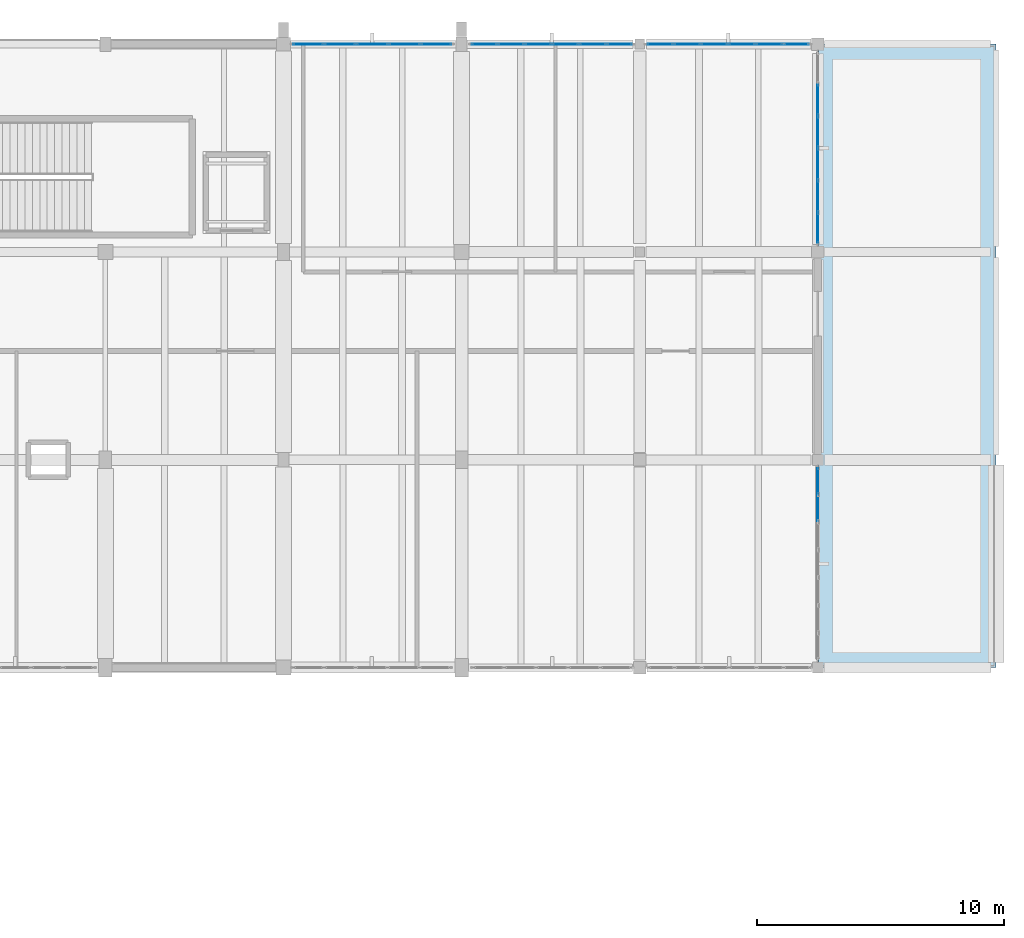
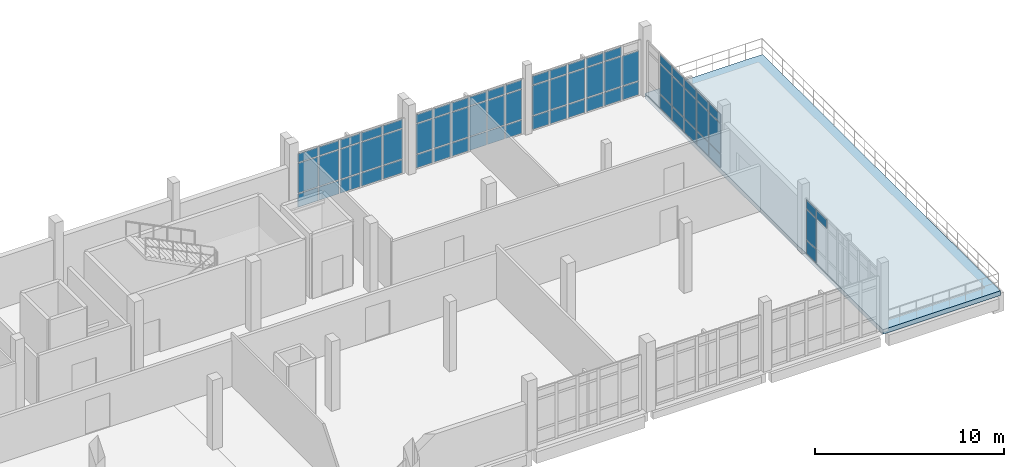
# One storey, part 30 of 41: 69 plates, 1 slab, 5 elements without a shape of their own.
"""IFC4 building model written with IfcOpenShell, lengths in metres."""

from ifc_helpers import new_model, si_unit, direction, frame, origin, origin_2d, place, context, subcontext, project, spatial, polyline, rectangle, outline, extrude, material, layer, layer_set, type_object, element, aggregate, save


model = new_model("IFC4")

# Units and contexts
model_context = context("Model", 3, precision=1e-05, world=origin(), true_north=direction((0.0, 1.0)))
body_context = subcontext(model_context, "Body", "Model", "MODEL_VIEW")
ifc_project = project(units=[si_unit("LENGTHUNIT", "METRE"), si_unit("AREAUNIT", "SQUARE_METRE"), si_unit("VOLUMEUNIT", "CUBIC_METRE"), si_unit("PLANEANGLEUNIT", "RADIAN"), si_unit("MASSUNIT", "GRAM", prefix="KILO")], contexts=[model_context])

# Site, building, storey
site_placement = place(None, origin())
site = spatial("IfcSite", under=ifc_project, at=site_placement, CompositionType="ELEMENT")
building_placement = place(site_placement, origin())
building = spatial("IfcBuilding", under=site, at=building_placement, Name="Kalluvel Institute of Natural Sciences", CompositionType="ELEMENT")
storey_placement = place(building_placement, frame((0.0, 0.0, 32.39990234375)))
storey = spatial("IfcBuildingStorey", under=building, at=storey_placement, Name="L07", CompositionType="ELEMENT", Elevation=32.39990234375)

# Curtain wall, plates
ifc_material_1 = material(Name="Aluminium AW-6063 T6", Category="aluminium")
curtain_wall_type = type_object("IfcCurtainWallType", Name="CW-WET-45", PredefinedType="USERDEFINED", material=ifc_material_1)
curtain_wall_1_placement = place(storey_placement, origin())
curtain_wall_1 = element("IfcCurtainWall", 1, at=curtain_wall_1_placement, inside=storey, type_object=curtain_wall_type, Name="L07 Gothic lancet curtain wall CWA-L07-X791-Y1280", ObjectType="UNITISED LANCET FACADE", PredefinedType="USERDEFINED")
ifc_material_2 = material(Name="Solar-Control Low-E Laminated Glass", Category="glass")
ifc_layer_1 = layer(ifc_material_2, 0.031982421875)
ifc_layer_set_1 = layer_set([ifc_layer_1], Name="Solar-Control Low-E Laminated Glass")
plate_type = type_object("IfcPlateType", Name="CWP-DGU-32", PredefinedType="CURTAIN_PANEL", material=ifc_layer_set_1)
plate_1_placement = place(storey_placement, frame((79.793701171875, 128.0, 0.065185546875), z_axis=(0.0, 0.0, 1.0), x_axis=(1.0, 0.0, 0.0)))
plate_1 = element("IfcPlate", 2, at=plate_1_placement, type_object=plate_type, Name="CW-01 panel 1.1", PredefinedType="CURTAIN_PANEL", context=body_context, shape_type="SweptSolid", body=[
    extrude(rectangle(XDim=1.20751953125, YDim=0.031982421875, at=origin_2d()), origin(), (0.0, 0.0, 1.0), 0.8525390625),
])
plate_2_placement = place(storey_placement, frame((79.793701171875, 128.0, 0.982666015625), z_axis=(0.0, 0.0, 1.0), x_axis=(1.0, 0.0, 0.0)))
plate_2 = element("IfcPlate", 3, at=plate_2_placement, type_object=plate_type, Name="CW-01 panel 1.2", PredefinedType="CURTAIN_PANEL", context=body_context, shape_type="SweptSolid", body=[
    extrude(rectangle(XDim=1.20751953125, YDim=0.031982421875, at=origin_2d()), origin(), (0.0, 0.0, 1.0), 1.9150390625),
])
plate_3_placement = place(storey_placement, frame((79.793701171875, 128.0, 2.96240234375), z_axis=(0.0, 0.0, 1.0), x_axis=(1.0, 0.0, 0.0)))
plate_3 = element("IfcPlate", 4, at=plate_3_placement, type_object=plate_type, Name="CW-01 panel 1.3", PredefinedType="CURTAIN_PANEL", context=body_context, shape_type="SweptSolid", body=[
    extrude(rectangle(XDim=1.20751953125, YDim=0.031982421875, at=origin_2d()), origin(), (0.0, 0.0, 1.0), 0.552490234375),
])
plate_4_placement = place(storey_placement, frame((81.08251953125, 128.0, 0.065185546875), z_axis=(0.0, 0.0, 1.0), x_axis=(1.0, 0.0, 0.0)))
plate_4 = element("IfcPlate", 5, at=plate_4_placement, type_object=plate_type, Name="CW-01 panel 2.1", PredefinedType="CURTAIN_PANEL", context=body_context, shape_type="SweptSolid", body=[
    extrude(rectangle(XDim=1.239990234375, YDim=0.031982421875, at=origin_2d()), origin(), (0.0, 0.0, 1.0), 0.8525390625),
])
plate_5_placement = place(storey_placement, frame((81.08251953125, 128.0, 0.982666015625), z_axis=(0.0, 0.0, 1.0), x_axis=(1.0, 0.0, 0.0)))
plate_5 = element("IfcPlate", 6, at=plate_5_placement, type_object=plate_type, Name="CW-01 panel 2.2", PredefinedType="CURTAIN_PANEL", context=body_context, shape_type="SweptSolid", body=[
    extrude(rectangle(XDim=1.239990234375, YDim=0.031982421875, at=origin_2d()), origin(), (0.0, 0.0, 1.0), 1.9150390625),
])
plate_6_placement = place(storey_placement, frame((81.08251953125, 128.0, 2.96240234375), z_axis=(0.0, 0.0, 1.0), x_axis=(1.0, 0.0, 0.0)))
plate_6 = element("IfcPlate", 7, at=plate_6_placement, type_object=plate_type, Name="CW-01 panel 2.3", PredefinedType="CURTAIN_PANEL", context=body_context, shape_type="SweptSolid", body=[
    extrude(rectangle(XDim=1.239990234375, YDim=0.031982421875, at=origin_2d()), origin(), (0.0, 0.0, 1.0), 0.552490234375),
])
plate_7_placement = place(storey_placement, frame((82.387451171875, 128.0, 0.065185546875), z_axis=(0.0, 0.0, 1.0), x_axis=(1.0, 0.0, 0.0)))
plate_7 = element("IfcPlate", 8, at=plate_7_placement, type_object=plate_type, Name="CW-01 panel 3.1", PredefinedType="CURTAIN_PANEL", context=body_context, shape_type="SweptSolid", body=[
    extrude(rectangle(XDim=1.239990234375, YDim=0.031982421875, at=origin_2d()), origin(), (0.0, 0.0, 1.0), 0.8525390625),
])
plate_8_placement = place(storey_placement, frame((82.387451171875, 128.0, 0.982666015625), z_axis=(0.0, 0.0, 1.0), x_axis=(1.0, 0.0, 0.0)))
plate_8 = element("IfcPlate", 9, at=plate_8_placement, type_object=plate_type, Name="CW-01 panel 3.2", PredefinedType="CURTAIN_PANEL", context=body_context, shape_type="SweptSolid", body=[
    extrude(rectangle(XDim=1.239990234375, YDim=0.031982421875, at=origin_2d()), origin(), (0.0, 0.0, 1.0), 1.9150390625),
])
plate_9_placement = place(storey_placement, frame((82.387451171875, 128.0, 2.96240234375), z_axis=(0.0, 0.0, 1.0), x_axis=(1.0, 0.0, 0.0)))
plate_9 = element("IfcPlate", 10, at=plate_9_placement, type_object=plate_type, Name="CW-01 panel 3.3", PredefinedType="CURTAIN_PANEL", context=body_context, shape_type="SweptSolid", body=[
    extrude(rectangle(XDim=1.239990234375, YDim=0.031982421875, at=origin_2d()), origin(), (0.0, 0.0, 1.0), 0.552490234375),
])
plate_10_placement = place(storey_placement, frame((83.6923828125, 128.0, 0.065185546875), z_axis=(0.0, 0.0, 1.0), x_axis=(1.0, 0.0, 0.0)))
plate_10 = element("IfcPlate", 11, at=plate_10_placement, type_object=plate_type, Name="CW-01 panel 4.1", PredefinedType="CURTAIN_PANEL", context=body_context, shape_type="SweptSolid", body=[
    extrude(rectangle(XDim=1.239990234375, YDim=0.031982421875, at=origin_2d()), origin(), (0.0, 0.0, 1.0), 0.8525390625),
])
plate_11_placement = place(storey_placement, frame((83.6923828125, 128.0, 0.982666015625), z_axis=(0.0, 0.0, 1.0), x_axis=(1.0, 0.0, 0.0)))
plate_11 = element("IfcPlate", 12, at=plate_11_placement, type_object=plate_type, Name="CW-01 panel 4.2", PredefinedType="CURTAIN_PANEL", context=body_context, shape_type="SweptSolid", body=[
    extrude(rectangle(XDim=1.239990234375, YDim=0.031982421875, at=origin_2d()), origin(), (0.0, 0.0, 1.0), 1.9150390625),
])
plate_12_placement = place(storey_placement, frame((83.6923828125, 128.0, 2.96240234375), z_axis=(0.0, 0.0, 1.0), x_axis=(1.0, 0.0, 0.0)))
plate_12 = element("IfcPlate", 13, at=plate_12_placement, type_object=plate_type, Name="CW-01 panel 4.3", PredefinedType="CURTAIN_PANEL", context=body_context, shape_type="SweptSolid", body=[
    extrude(rectangle(XDim=1.239990234375, YDim=0.031982421875, at=origin_2d()), origin(), (0.0, 0.0, 1.0), 0.552490234375),
])
plate_13_placement = place(storey_placement, frame((84.981201171875, 128.0, 0.065185546875), z_axis=(0.0, 0.0, 1.0), x_axis=(1.0, 0.0, 0.0)))
plate_13 = element("IfcPlate", 14, at=plate_13_placement, type_object=plate_type, Name="CW-01 panel 5.1", PredefinedType="CURTAIN_PANEL", context=body_context, shape_type="SweptSolid", body=[
    extrude(rectangle(XDim=1.20751953125, YDim=0.031982421875, at=origin_2d()), origin(), (0.0, 0.0, 1.0), 0.8525390625),
])
plate_14_placement = place(storey_placement, frame((84.981201171875, 128.0, 0.982666015625), z_axis=(0.0, 0.0, 1.0), x_axis=(1.0, 0.0, 0.0)))
plate_14 = element("IfcPlate", 15, at=plate_14_placement, type_object=plate_type, Name="CW-01 panel 5.2", PredefinedType="CURTAIN_PANEL", context=body_context, shape_type="SweptSolid", body=[
    extrude(rectangle(XDim=1.20751953125, YDim=0.031982421875, at=origin_2d()), origin(), (0.0, 0.0, 1.0), 1.9150390625),
])
plate_15_placement = place(storey_placement, frame((84.981201171875, 128.0, 2.96240234375), z_axis=(0.0, 0.0, 1.0), x_axis=(1.0, 0.0, 0.0)))
plate_15 = element("IfcPlate", 16, at=plate_15_placement, type_object=plate_type, Name="CW-01 panel 5.3", PredefinedType="CURTAIN_PANEL", context=body_context, shape_type="SweptSolid", body=[
    extrude(rectangle(XDim=1.20751953125, YDim=0.031982421875, at=origin_2d()), origin(), (0.0, 0.0, 1.0), 0.552490234375),
])
aggregate(curtain_wall_1, [plate_1, plate_2, plate_3, plate_4, plate_5, plate_6, plate_7, plate_8, plate_9, plate_10, plate_11, plate_12, plate_13, plate_14, plate_15])

curtain_wall_2_placement = place(storey_placement, origin())
curtain_wall_2 = element("IfcCurtainWall", 17, at=curtain_wall_2_placement, inside=storey, type_object=curtain_wall_type, Name="L07 Gothic lancet curtain wall CWA-L07-X864-Y1280", ObjectType="UNITISED LANCET FACADE", PredefinedType="USERDEFINED")
plate_16_placement = place(storey_placement, frame((86.916259765625, 128.0, 0.065185546875), z_axis=(0.0, 0.0, 1.0), x_axis=(1.0, 0.0, 0.0)))
plate_16 = element("IfcPlate", 18, at=plate_16_placement, type_object=plate_type, Name="CW-01 panel 1.1", PredefinedType="CURTAIN_PANEL", context=body_context, shape_type="SweptSolid", body=[
    extrude(rectangle(XDim=1.00244140625, YDim=0.031982421875, at=origin_2d()), origin(), (0.0, 0.0, 1.0), 0.8525390625),
])
plate_17_placement = place(storey_placement, frame((86.916259765625, 128.0, 0.982666015625), z_axis=(0.0, 0.0, 1.0), x_axis=(1.0, 0.0, 0.0)))
plate_17 = element("IfcPlate", 19, at=plate_17_placement, type_object=plate_type, Name="CW-01 panel 1.2", PredefinedType="CURTAIN_PANEL", context=body_context, shape_type="SweptSolid", body=[
    extrude(rectangle(XDim=1.00244140625, YDim=0.031982421875, at=origin_2d()), origin(), (0.0, 0.0, 1.0), 1.9150390625),
])
plate_18_placement = place(storey_placement, frame((86.916259765625, 128.0, 2.96240234375), z_axis=(0.0, 0.0, 1.0), x_axis=(1.0, 0.0, 0.0)))
plate_18 = element("IfcPlate", 20, at=plate_18_placement, type_object=plate_type, Name="CW-01 panel 1.3", PredefinedType="CURTAIN_PANEL", context=body_context, shape_type="SweptSolid", body=[
    extrude(rectangle(XDim=1.00244140625, YDim=0.031982421875, at=origin_2d()), origin(), (0.0, 0.0, 1.0), 0.552490234375),
])
plate_19_placement = place(storey_placement, frame((88.0, 128.0, 0.065185546875), z_axis=(0.0, 0.0, 1.0), x_axis=(1.0, 0.0, 0.0)))
plate_19 = element("IfcPlate", 21, at=plate_19_placement, type_object=plate_type, Name="CW-01 panel 2.1", PredefinedType="CURTAIN_PANEL", context=body_context, shape_type="SweptSolid", body=[
    extrude(rectangle(XDim=1.034912109375, YDim=0.031982421875, at=origin_2d()), origin(), (0.0, 0.0, 1.0), 0.8525390625),
])
plate_20_placement = place(storey_placement, frame((88.0, 128.0, 0.982666015625), z_axis=(0.0, 0.0, 1.0), x_axis=(1.0, 0.0, 0.0)))
plate_20 = element("IfcPlate", 22, at=plate_20_placement, type_object=plate_type, Name="CW-01 panel 2.2", PredefinedType="CURTAIN_PANEL", context=body_context, shape_type="SweptSolid", body=[
    extrude(rectangle(XDim=1.034912109375, YDim=0.031982421875, at=origin_2d()), origin(), (0.0, 0.0, 1.0), 1.9150390625),
])
plate_21_placement = place(storey_placement, frame((88.0, 128.0, 2.96240234375), z_axis=(0.0, 0.0, 1.0), x_axis=(1.0, 0.0, 0.0)))
plate_21 = element("IfcPlate", 23, at=plate_21_placement, type_object=plate_type, Name="CW-01 panel 2.3", PredefinedType="CURTAIN_PANEL", context=body_context, shape_type="SweptSolid", body=[
    extrude(rectangle(XDim=1.034912109375, YDim=0.031982421875, at=origin_2d()), origin(), (0.0, 0.0, 1.0), 0.552490234375),
])
plate_22_placement = place(storey_placement, frame((89.10009765625, 128.0, 0.065185546875), z_axis=(0.0, 0.0, 1.0), x_axis=(1.0, 0.0, 0.0)))
plate_22 = element("IfcPlate", 24, at=plate_22_placement, type_object=plate_type, Name="CW-01 panel 3.1", PredefinedType="CURTAIN_PANEL", context=body_context, shape_type="SweptSolid", body=[
    extrude(rectangle(XDim=1.034912109375, YDim=0.031982421875, at=origin_2d()), origin(), (0.0, 0.0, 1.0), 0.8525390625),
])
plate_23_placement = place(storey_placement, frame((89.10009765625, 128.0, 0.982666015625), z_axis=(0.0, 0.0, 1.0), x_axis=(1.0, 0.0, 0.0)))
plate_23 = element("IfcPlate", 25, at=plate_23_placement, type_object=plate_type, Name="CW-01 panel 3.2", PredefinedType="CURTAIN_PANEL", context=body_context, shape_type="SweptSolid", body=[
    extrude(rectangle(XDim=1.034912109375, YDim=0.031982421875, at=origin_2d()), origin(), (0.0, 0.0, 1.0), 1.9150390625),
])
plate_24_placement = place(storey_placement, frame((89.10009765625, 128.0, 2.96240234375), z_axis=(0.0, 0.0, 1.0), x_axis=(1.0, 0.0, 0.0)))
plate_24 = element("IfcPlate", 26, at=plate_24_placement, type_object=plate_type, Name="CW-01 panel 3.3", PredefinedType="CURTAIN_PANEL", context=body_context, shape_type="SweptSolid", body=[
    extrude(rectangle(XDim=1.034912109375, YDim=0.031982421875, at=origin_2d()), origin(), (0.0, 0.0, 1.0), 0.552490234375),
])
plate_25_placement = place(storey_placement, frame((90.199951171875, 128.0, 0.065185546875), z_axis=(0.0, 0.0, 1.0), x_axis=(1.0, 0.0, 0.0)))
plate_25 = element("IfcPlate", 27, at=plate_25_placement, type_object=plate_type, Name="CW-01 panel 4.1", PredefinedType="CURTAIN_PANEL", context=body_context, shape_type="SweptSolid", body=[
    extrude(rectangle(XDim=1.034912109375, YDim=0.031982421875, at=origin_2d()), origin(), (0.0, 0.0, 1.0), 0.8525390625),
])
plate_26_placement = place(storey_placement, frame((90.199951171875, 128.0, 0.982666015625), z_axis=(0.0, 0.0, 1.0), x_axis=(1.0, 0.0, 0.0)))
plate_26 = element("IfcPlate", 28, at=plate_26_placement, type_object=plate_type, Name="CW-01 panel 4.2", PredefinedType="CURTAIN_PANEL", context=body_context, shape_type="SweptSolid", body=[
    extrude(rectangle(XDim=1.034912109375, YDim=0.031982421875, at=origin_2d()), origin(), (0.0, 0.0, 1.0), 1.9150390625),
])
plate_27_placement = place(storey_placement, frame((90.199951171875, 128.0, 2.96240234375), z_axis=(0.0, 0.0, 1.0), x_axis=(1.0, 0.0, 0.0)))
plate_27 = element("IfcPlate", 29, at=plate_27_placement, type_object=plate_type, Name="CW-01 panel 4.3", PredefinedType="CURTAIN_PANEL", context=body_context, shape_type="SweptSolid", body=[
    extrude(rectangle(XDim=1.034912109375, YDim=0.031982421875, at=origin_2d()), origin(), (0.0, 0.0, 1.0), 0.552490234375),
])
plate_28_placement = place(storey_placement, frame((91.300048828125, 128.0, 0.065185546875), z_axis=(0.0, 0.0, 1.0), x_axis=(1.0, 0.0, 0.0)))
plate_28 = element("IfcPlate", 30, at=plate_28_placement, type_object=plate_type, Name="CW-01 panel 5.1", PredefinedType="CURTAIN_PANEL", context=body_context, shape_type="SweptSolid", body=[
    extrude(rectangle(XDim=1.034912109375, YDim=0.031982421875, at=origin_2d()), origin(), (0.0, 0.0, 1.0), 0.8525390625),
])
plate_29_placement = place(storey_placement, frame((91.300048828125, 128.0, 0.982666015625), z_axis=(0.0, 0.0, 1.0), x_axis=(1.0, 0.0, 0.0)))
plate_29 = element("IfcPlate", 31, at=plate_29_placement, type_object=plate_type, Name="CW-01 panel 5.2", PredefinedType="CURTAIN_PANEL", context=body_context, shape_type="SweptSolid", body=[
    extrude(rectangle(XDim=1.034912109375, YDim=0.031982421875, at=origin_2d()), origin(), (0.0, 0.0, 1.0), 1.9150390625),
])
plate_30_placement = place(storey_placement, frame((91.300048828125, 128.0, 2.96240234375), z_axis=(0.0, 0.0, 1.0), x_axis=(1.0, 0.0, 0.0)))
plate_30 = element("IfcPlate", 32, at=plate_30_placement, type_object=plate_type, Name="CW-01 panel 5.3", PredefinedType="CURTAIN_PANEL", context=body_context, shape_type="SweptSolid", body=[
    extrude(rectangle(XDim=1.034912109375, YDim=0.031982421875, at=origin_2d()), origin(), (0.0, 0.0, 1.0), 0.552490234375),
])
plate_31_placement = place(storey_placement, frame((92.3837890625, 128.0, 0.065185546875), z_axis=(0.0, 0.0, 1.0), x_axis=(1.0, 0.0, 0.0)))
plate_31 = element("IfcPlate", 33, at=plate_31_placement, type_object=plate_type, Name="CW-01 panel 6.1", PredefinedType="CURTAIN_PANEL", context=body_context, shape_type="SweptSolid", body=[
    extrude(rectangle(XDim=1.00244140625, YDim=0.031982421875, at=origin_2d()), origin(), (0.0, 0.0, 1.0), 0.8525390625),
])
plate_32_placement = place(storey_placement, frame((92.3837890625, 128.0, 0.982666015625), z_axis=(0.0, 0.0, 1.0), x_axis=(1.0, 0.0, 0.0)))
plate_32 = element("IfcPlate", 34, at=plate_32_placement, type_object=plate_type, Name="CW-01 panel 6.2", PredefinedType="CURTAIN_PANEL", context=body_context, shape_type="SweptSolid", body=[
    extrude(rectangle(XDim=1.00244140625, YDim=0.031982421875, at=origin_2d()), origin(), (0.0, 0.0, 1.0), 1.9150390625),
])
plate_33_placement = place(storey_placement, frame((92.3837890625, 128.0, 2.96240234375), z_axis=(0.0, 0.0, 1.0), x_axis=(1.0, 0.0, 0.0)))
plate_33 = element("IfcPlate", 35, at=plate_33_placement, type_object=plate_type, Name="CW-01 panel 6.3", PredefinedType="CURTAIN_PANEL", context=body_context, shape_type="SweptSolid", body=[
    extrude(rectangle(XDim=1.00244140625, YDim=0.031982421875, at=origin_2d()), origin(), (0.0, 0.0, 1.0), 0.552490234375),
])
aggregate(curtain_wall_2, [plate_16, plate_17, plate_18, plate_19, plate_20, plate_21, plate_22, plate_23, plate_24, plate_25, plate_26, plate_27, plate_28, plate_29, plate_30, plate_31, plate_32, plate_33])

curtain_wall_3_placement = place(storey_placement, origin())
curtain_wall_3 = element("IfcCurtainWall", 36, at=curtain_wall_3_placement, inside=storey, type_object=curtain_wall_type, Name="L07 Gothic lancet curtain wall CWA-L07-X934-Y1280", ObjectType="UNITISED LANCET FACADE", PredefinedType="USERDEFINED")
plate_34_placement = place(storey_placement, frame((94.0205078125, 128.0, 0.065185546875), z_axis=(0.0, 0.0, 1.0), x_axis=(1.0, 0.0, 0.0)))
plate_34 = element("IfcPlate", 37, at=plate_34_placement, type_object=plate_type, Name="CW-01 panel 1.1", PredefinedType="CURTAIN_PANEL", context=body_context, shape_type="SweptSolid", body=[
    extrude(rectangle(XDim=1.0107421875, YDim=0.031982421875, at=origin_2d()), origin(), (0.0, 0.0, 1.0), 0.8525390625),
])
plate_35_placement = place(storey_placement, frame((94.0205078125, 128.0, 0.982666015625), z_axis=(0.0, 0.0, 1.0), x_axis=(1.0, 0.0, 0.0)))
plate_35 = element("IfcPlate", 38, at=plate_35_placement, type_object=plate_type, Name="CW-01 panel 1.2", PredefinedType="CURTAIN_PANEL", context=body_context, shape_type="SweptSolid", body=[
    extrude(rectangle(XDim=1.0107421875, YDim=0.031982421875, at=origin_2d()), origin(), (0.0, 0.0, 1.0), 1.9150390625),
])
plate_36_placement = place(storey_placement, frame((94.0205078125, 128.0, 2.96240234375), z_axis=(0.0, 0.0, 1.0), x_axis=(1.0, 0.0, 0.0)))
plate_36 = element("IfcPlate", 39, at=plate_36_placement, type_object=plate_type, Name="CW-01 panel 1.3", PredefinedType="CURTAIN_PANEL", context=body_context, shape_type="SweptSolid", body=[
    extrude(rectangle(XDim=1.0107421875, YDim=0.031982421875, at=origin_2d()), origin(), (0.0, 0.0, 1.0), 0.552490234375),
])
plate_37_placement = place(storey_placement, frame((95.112548828125, 128.0, 0.065185546875), z_axis=(0.0, 0.0, 1.0), x_axis=(1.0, 0.0, 0.0)))
plate_37 = element("IfcPlate", 40, at=plate_37_placement, type_object=plate_type, Name="CW-01 panel 2.1", PredefinedType="CURTAIN_PANEL", context=body_context, shape_type="SweptSolid", body=[
    extrude(rectangle(XDim=1.043212890625, YDim=0.031982421875, at=origin_2d()), origin(), (0.0, 0.0, 1.0), 0.8525390625),
])
plate_38_placement = place(storey_placement, frame((95.112548828125, 128.0, 0.982666015625), z_axis=(0.0, 0.0, 1.0), x_axis=(1.0, 0.0, 0.0)))
plate_38 = element("IfcPlate", 41, at=plate_38_placement, type_object=plate_type, Name="CW-01 panel 2.2", PredefinedType="CURTAIN_PANEL", context=body_context, shape_type="SweptSolid", body=[
    extrude(rectangle(XDim=1.043212890625, YDim=0.031982421875, at=origin_2d()), origin(), (0.0, 0.0, 1.0), 1.9150390625),
])
plate_39_placement = place(storey_placement, frame((95.112548828125, 128.0, 2.96240234375), z_axis=(0.0, 0.0, 1.0), x_axis=(1.0, 0.0, 0.0)))
plate_39 = element("IfcPlate", 42, at=plate_39_placement, type_object=plate_type, Name="CW-01 panel 2.3", PredefinedType="CURTAIN_PANEL", context=body_context, shape_type="SweptSolid", body=[
    extrude(rectangle(XDim=1.043212890625, YDim=0.031982421875, at=origin_2d()), origin(), (0.0, 0.0, 1.0), 0.552490234375),
])
plate_40_placement = place(storey_placement, frame((96.220947265625, 128.0, 0.065185546875), z_axis=(0.0, 0.0, 1.0), x_axis=(1.0, 0.0, 0.0)))
plate_40 = element("IfcPlate", 43, at=plate_40_placement, type_object=plate_type, Name="CW-01 panel 3.1", PredefinedType="CURTAIN_PANEL", context=body_context, shape_type="SweptSolid", body=[
    extrude(rectangle(XDim=1.043212890625, YDim=0.031982421875, at=origin_2d()), origin(), (0.0, 0.0, 1.0), 0.8525390625),
])
plate_41_placement = place(storey_placement, frame((96.220947265625, 128.0, 0.982666015625), z_axis=(0.0, 0.0, 1.0), x_axis=(1.0, 0.0, 0.0)))
plate_41 = element("IfcPlate", 44, at=plate_41_placement, type_object=plate_type, Name="CW-01 panel 3.2", PredefinedType="CURTAIN_PANEL", context=body_context, shape_type="SweptSolid", body=[
    extrude(rectangle(XDim=1.043212890625, YDim=0.031982421875, at=origin_2d()), origin(), (0.0, 0.0, 1.0), 1.9150390625),
])
plate_42_placement = place(storey_placement, frame((96.220947265625, 128.0, 2.96240234375), z_axis=(0.0, 0.0, 1.0), x_axis=(1.0, 0.0, 0.0)))
plate_42 = element("IfcPlate", 45, at=plate_42_placement, type_object=plate_type, Name="CW-01 panel 3.3", PredefinedType="CURTAIN_PANEL", context=body_context, shape_type="SweptSolid", body=[
    extrude(rectangle(XDim=1.043212890625, YDim=0.031982421875, at=origin_2d()), origin(), (0.0, 0.0, 1.0), 0.552490234375),
])
plate_43_placement = place(storey_placement, frame((97.3291015625, 128.0, 0.065185546875), z_axis=(0.0, 0.0, 1.0), x_axis=(1.0, 0.0, 0.0)))
plate_43 = element("IfcPlate", 46, at=plate_43_placement, type_object=plate_type, Name="CW-01 panel 4.1", PredefinedType="CURTAIN_PANEL", context=body_context, shape_type="SweptSolid", body=[
    extrude(rectangle(XDim=1.043212890625, YDim=0.031982421875, at=origin_2d()), origin(), (0.0, 0.0, 1.0), 0.8525390625),
])
plate_44_placement = place(storey_placement, frame((97.3291015625, 128.0, 0.982666015625), z_axis=(0.0, 0.0, 1.0), x_axis=(1.0, 0.0, 0.0)))
plate_44 = element("IfcPlate", 47, at=plate_44_placement, type_object=plate_type, Name="CW-01 panel 4.2", PredefinedType="CURTAIN_PANEL", context=body_context, shape_type="SweptSolid", body=[
    extrude(rectangle(XDim=1.043212890625, YDim=0.031982421875, at=origin_2d()), origin(), (0.0, 0.0, 1.0), 1.9150390625),
])
plate_45_placement = place(storey_placement, frame((97.3291015625, 128.0, 2.96240234375), z_axis=(0.0, 0.0, 1.0), x_axis=(1.0, 0.0, 0.0)))
plate_45 = element("IfcPlate", 48, at=plate_45_placement, type_object=plate_type, Name="CW-01 panel 4.3", PredefinedType="CURTAIN_PANEL", context=body_context, shape_type="SweptSolid", body=[
    extrude(rectangle(XDim=1.043212890625, YDim=0.031982421875, at=origin_2d()), origin(), (0.0, 0.0, 1.0), 0.552490234375),
])
plate_46_placement = place(storey_placement, frame((98.4375, 128.0, 0.065185546875), z_axis=(0.0, 0.0, 1.0), x_axis=(1.0, 0.0, 0.0)))
plate_46 = element("IfcPlate", 49, at=plate_46_placement, type_object=plate_type, Name="CW-01 panel 5.1", PredefinedType="CURTAIN_PANEL", context=body_context, shape_type="SweptSolid", body=[
    extrude(rectangle(XDim=1.043212890625, YDim=0.031982421875, at=origin_2d()), origin(), (0.0, 0.0, 1.0), 0.8525390625),
])
plate_47_placement = place(storey_placement, frame((98.4375, 128.0, 0.982666015625), z_axis=(0.0, 0.0, 1.0), x_axis=(1.0, 0.0, 0.0)))
plate_47 = element("IfcPlate", 50, at=plate_47_placement, type_object=plate_type, Name="CW-01 panel 5.2", PredefinedType="CURTAIN_PANEL", context=body_context, shape_type="SweptSolid", body=[
    extrude(rectangle(XDim=1.043212890625, YDim=0.031982421875, at=origin_2d()), origin(), (0.0, 0.0, 1.0), 1.9150390625),
])
plate_48_placement = place(storey_placement, frame((98.4375, 128.0, 2.96240234375), z_axis=(0.0, 0.0, 1.0), x_axis=(1.0, 0.0, 0.0)))
plate_48 = element("IfcPlate", 51, at=plate_48_placement, type_object=plate_type, Name="CW-01 panel 5.3", PredefinedType="CURTAIN_PANEL", context=body_context, shape_type="SweptSolid", body=[
    extrude(rectangle(XDim=1.043212890625, YDim=0.031982421875, at=origin_2d()), origin(), (0.0, 0.0, 1.0), 0.552490234375),
])
plate_49_placement = place(storey_placement, frame((99.529541015625, 128.0, 0.065185546875), z_axis=(0.0, 0.0, 1.0), x_axis=(1.0, 0.0, 0.0)))
plate_49 = element("IfcPlate", 52, at=plate_49_placement, type_object=plate_type, Name="CW-01 panel 6.1", PredefinedType="CURTAIN_PANEL", context=body_context, shape_type="SweptSolid", body=[
    extrude(rectangle(XDim=1.0107421875, YDim=0.031982421875, at=origin_2d()), origin(), (0.0, 0.0, 1.0), 0.8525390625),
])
plate_50_placement = place(storey_placement, frame((99.529541015625, 128.0, 0.982666015625), z_axis=(0.0, 0.0, 1.0), x_axis=(1.0, 0.0, 0.0)))
plate_50 = element("IfcPlate", 53, at=plate_50_placement, type_object=plate_type, Name="CW-01 panel 6.2", PredefinedType="CURTAIN_PANEL", context=body_context, shape_type="SweptSolid", body=[
    extrude(rectangle(XDim=1.0107421875, YDim=0.031982421875, at=origin_2d()), origin(), (0.0, 0.0, 1.0), 1.9150390625),
])
aggregate(curtain_wall_3, [plate_34, plate_35, plate_36, plate_37, plate_38, plate_39, plate_40, plate_41, plate_42, plate_43, plate_44, plate_45, plate_46, plate_47, plate_48, plate_49, plate_50])

curtain_wall_4_placement = place(storey_placement, origin())
curtain_wall_4 = element("IfcCurtainWall", 54, at=curtain_wall_4_placement, inside=storey, type_object=curtain_wall_type, Name="L07 Gothic lancet curtain wall CWA-L07-X1004-Y1031", ObjectType="UNITISED LANCET FACADE", PredefinedType="USERDEFINED")
plate_51_placement = place(storey_placement, frame((100.39990234375, 109.242919921875, 2.96240234375), z_axis=(0.0, 0.0, 1.0), x_axis=(0.0, 1.0, 0.0)))
plate_51 = element("IfcPlate", 55, at=plate_51_placement, type_object=plate_type, Name="CW-01 panel 6.3", PredefinedType="CURTAIN_PANEL", context=body_context, shape_type="SweptSolid", body=[
    extrude(rectangle(XDim=1.056396484375, YDim=0.031982421875, at=origin_2d()), origin(), (0.0, 0.0, 1.0), 0.552490234375),
])
plate_52_placement = place(storey_placement, frame((100.39990234375, 110.34814453125, 0.065185546875), z_axis=(0.0, 0.0, 1.0), x_axis=(0.0, 1.0, 0.0)))
plate_52 = element("IfcPlate", 56, at=plate_52_placement, type_object=plate_type, Name="CW-01 panel 7.1", PredefinedType="CURTAIN_PANEL", context=body_context, shape_type="SweptSolid", body=[
    extrude(rectangle(XDim=1.02392578125, YDim=0.031982421875, at=origin_2d()), origin(), (0.0, 0.0, 1.0), 0.8525390625),
])
plate_53_placement = place(storey_placement, frame((100.39990234375, 110.34814453125, 0.982666015625), z_axis=(0.0, 0.0, 1.0), x_axis=(0.0, 1.0, 0.0)))
plate_53 = element("IfcPlate", 57, at=plate_53_placement, type_object=plate_type, Name="CW-01 panel 7.2", PredefinedType="CURTAIN_PANEL", context=body_context, shape_type="SweptSolid", body=[
    extrude(rectangle(XDim=1.02392578125, YDim=0.031982421875, at=origin_2d()), origin(), (0.0, 0.0, 1.0), 1.9150390625),
])
plate_54_placement = place(storey_placement, frame((100.39990234375, 110.34814453125, 2.96240234375), z_axis=(0.0, 0.0, 1.0), x_axis=(0.0, 1.0, 0.0)))
plate_54 = element("IfcPlate", 58, at=plate_54_placement, type_object=plate_type, Name="CW-01 panel 7.3", PredefinedType="CURTAIN_PANEL", context=body_context, shape_type="SweptSolid", body=[
    extrude(rectangle(XDim=1.02392578125, YDim=0.031982421875, at=origin_2d()), origin(), (0.0, 0.0, 1.0), 0.552490234375),
])
aggregate(curtain_wall_4, [plate_51, plate_52, plate_53, plate_54])

curtain_wall_5_placement = place(storey_placement, origin())
curtain_wall_5 = element("IfcCurtainWall", 59, at=curtain_wall_5_placement, inside=storey, type_object=curtain_wall_type, Name="L07 Gothic lancet curtain wall CWA-L07-X1004-Y1199", ObjectType="UNITISED LANCET FACADE", PredefinedType="USERDEFINED")
plate_55_placement = place(storey_placement, frame((100.39990234375, 120.566162109375, 0.065185546875), z_axis=(0.0, 0.0, 1.0), x_axis=(0.0, 1.0, 0.0)))
plate_55 = element("IfcPlate", 60, at=plate_55_placement, type_object=plate_type, Name="CW-01 panel 1.1", PredefinedType="CURTAIN_PANEL", context=body_context, shape_type="SweptSolid", body=[
    extrude(rectangle(XDim=1.202392578125, YDim=0.031982421875, at=origin_2d()), origin(), (0.0, 0.0, 1.0), 0.8525390625),
])
plate_56_placement = place(storey_placement, frame((100.39990234375, 120.566162109375, 0.982666015625), z_axis=(0.0, 0.0, 1.0), x_axis=(0.0, 1.0, 0.0)))
plate_56 = element("IfcPlate", 61, at=plate_56_placement, type_object=plate_type, Name="CW-01 panel 1.2", PredefinedType="CURTAIN_PANEL", context=body_context, shape_type="SweptSolid", body=[
    extrude(rectangle(XDim=1.202392578125, YDim=0.031982421875, at=origin_2d()), origin(), (0.0, 0.0, 1.0), 1.9150390625),
])
plate_57_placement = place(storey_placement, frame((100.39990234375, 120.566162109375, 2.96240234375), z_axis=(0.0, 0.0, 1.0), x_axis=(0.0, 1.0, 0.0)))
plate_57 = element("IfcPlate", 62, at=plate_57_placement, type_object=plate_type, Name="CW-01 panel 1.3", PredefinedType="CURTAIN_PANEL", context=body_context, shape_type="SweptSolid", body=[
    extrude(rectangle(XDim=1.202392578125, YDim=0.031982421875, at=origin_2d()), origin(), (0.0, 0.0, 1.0), 0.552490234375),
])
plate_58_placement = place(storey_placement, frame((100.39990234375, 121.85009765625, 0.065185546875), z_axis=(0.0, 0.0, 1.0), x_axis=(0.0, 1.0, 0.0)))
plate_58 = element("IfcPlate", 63, at=plate_58_placement, type_object=plate_type, Name="CW-01 panel 2.1", PredefinedType="CURTAIN_PANEL", context=body_context, shape_type="SweptSolid", body=[
    extrude(rectangle(XDim=1.235107421875, YDim=0.031982421875, at=origin_2d()), origin(), (0.0, 0.0, 1.0), 0.8525390625),
])
plate_59_placement = place(storey_placement, frame((100.39990234375, 121.85009765625, 0.982666015625), z_axis=(0.0, 0.0, 1.0), x_axis=(0.0, 1.0, 0.0)))
plate_59 = element("IfcPlate", 64, at=plate_59_placement, type_object=plate_type, Name="CW-01 panel 2.2", PredefinedType="CURTAIN_PANEL", context=body_context, shape_type="SweptSolid", body=[
    extrude(rectangle(XDim=1.235107421875, YDim=0.031982421875, at=origin_2d()), origin(), (0.0, 0.0, 1.0), 1.9150390625),
])
plate_60_placement = place(storey_placement, frame((100.39990234375, 121.85009765625, 2.96240234375), z_axis=(0.0, 0.0, 1.0), x_axis=(0.0, 1.0, 0.0)))
plate_60 = element("IfcPlate", 65, at=plate_60_placement, type_object=plate_type, Name="CW-01 panel 2.3", PredefinedType="CURTAIN_PANEL", context=body_context, shape_type="SweptSolid", body=[
    extrude(rectangle(XDim=1.235107421875, YDim=0.031982421875, at=origin_2d()), origin(), (0.0, 0.0, 1.0), 0.552490234375),
])
plate_61_placement = place(storey_placement, frame((100.39990234375, 123.14990234375, 0.065185546875), z_axis=(0.0, 0.0, 1.0), x_axis=(0.0, 1.0, 0.0)))
plate_61 = element("IfcPlate", 66, at=plate_61_placement, type_object=plate_type, Name="CW-01 panel 3.1", PredefinedType="CURTAIN_PANEL", context=body_context, shape_type="SweptSolid", body=[
    extrude(rectangle(XDim=1.235107421875, YDim=0.031982421875, at=origin_2d()), origin(), (0.0, 0.0, 1.0), 0.8525390625),
])
plate_62_placement = place(storey_placement, frame((100.39990234375, 123.14990234375, 0.982666015625), z_axis=(0.0, 0.0, 1.0), x_axis=(0.0, 1.0, 0.0)))
plate_62 = element("IfcPlate", 67, at=plate_62_placement, type_object=plate_type, Name="CW-01 panel 3.2", PredefinedType="CURTAIN_PANEL", context=body_context, shape_type="SweptSolid", body=[
    extrude(rectangle(XDim=1.235107421875, YDim=0.031982421875, at=origin_2d()), origin(), (0.0, 0.0, 1.0), 1.9150390625),
])
plate_63_placement = place(storey_placement, frame((100.39990234375, 123.14990234375, 2.96240234375), z_axis=(0.0, 0.0, 1.0), x_axis=(0.0, 1.0, 0.0)))
plate_63 = element("IfcPlate", 68, at=plate_63_placement, type_object=plate_type, Name="CW-01 panel 3.3", PredefinedType="CURTAIN_PANEL", context=body_context, shape_type="SweptSolid", body=[
    extrude(rectangle(XDim=1.235107421875, YDim=0.031982421875, at=origin_2d()), origin(), (0.0, 0.0, 1.0), 0.552490234375),
])
plate_64_placement = place(storey_placement, frame((100.39990234375, 124.449951171875, 0.065185546875), z_axis=(0.0, 0.0, 1.0), x_axis=(0.0, 1.0, 0.0)))
plate_64 = element("IfcPlate", 69, at=plate_64_placement, type_object=plate_type, Name="CW-01 panel 4.1", PredefinedType="CURTAIN_PANEL", context=body_context, shape_type="SweptSolid", body=[
    extrude(rectangle(XDim=1.235107421875, YDim=0.031982421875, at=origin_2d()), origin(), (0.0, 0.0, 1.0), 0.8525390625),
])
plate_65_placement = place(storey_placement, frame((100.39990234375, 124.449951171875, 0.982666015625), z_axis=(0.0, 0.0, 1.0), x_axis=(0.0, 1.0, 0.0)))
plate_65 = element("IfcPlate", 70, at=plate_65_placement, type_object=plate_type, Name="CW-01 panel 4.2", PredefinedType="CURTAIN_PANEL", context=body_context, shape_type="SweptSolid", body=[
    extrude(rectangle(XDim=1.235107421875, YDim=0.031982421875, at=origin_2d()), origin(), (0.0, 0.0, 1.0), 1.9150390625),
])
plate_66_placement = place(storey_placement, frame((100.39990234375, 124.449951171875, 2.96240234375), z_axis=(0.0, 0.0, 1.0), x_axis=(0.0, 1.0, 0.0)))
plate_66 = element("IfcPlate", 71, at=plate_66_placement, type_object=plate_type, Name="CW-01 panel 4.3", PredefinedType="CURTAIN_PANEL", context=body_context, shape_type="SweptSolid", body=[
    extrude(rectangle(XDim=1.235107421875, YDim=0.031982421875, at=origin_2d()), origin(), (0.0, 0.0, 1.0), 0.552490234375),
])
plate_67_placement = place(storey_placement, frame((100.39990234375, 125.75, 0.065185546875), z_axis=(0.0, 0.0, 1.0), x_axis=(0.0, 1.0, 0.0)))
plate_67 = element("IfcPlate", 72, at=plate_67_placement, type_object=plate_type, Name="CW-01 panel 5.1", PredefinedType="CURTAIN_PANEL", context=body_context, shape_type="SweptSolid", body=[
    extrude(rectangle(XDim=1.235107421875, YDim=0.031982421875, at=origin_2d()), origin(), (0.0, 0.0, 1.0), 0.8525390625),
])
plate_68_placement = place(storey_placement, frame((100.39990234375, 125.75, 0.982666015625), z_axis=(0.0, 0.0, 1.0), x_axis=(0.0, 1.0, 0.0)))
plate_68 = element("IfcPlate", 73, at=plate_68_placement, type_object=plate_type, Name="CW-01 panel 5.2", PredefinedType="CURTAIN_PANEL", context=body_context, shape_type="SweptSolid", body=[
    extrude(rectangle(XDim=1.235107421875, YDim=0.031982421875, at=origin_2d()), origin(), (0.0, 0.0, 1.0), 1.9150390625),
])
plate_69_placement = place(storey_placement, frame((100.39990234375, 125.75, 2.96240234375), z_axis=(0.0, 0.0, 1.0), x_axis=(0.0, 1.0, 0.0)))
plate_69 = element("IfcPlate", 74, at=plate_69_placement, type_object=plate_type, Name="CW-01 panel 5.3", PredefinedType="CURTAIN_PANEL", context=body_context, shape_type="SweptSolid", body=[
    extrude(rectangle(XDim=1.235107421875, YDim=0.031982421875, at=origin_2d()), origin(), (0.0, 0.0, 1.0), 0.552490234375),
])
aggregate(curtain_wall_5, [plate_55, plate_56, plate_57, plate_58, plate_59, plate_60, plate_61, plate_62, plate_63, plate_64, plate_65, plate_66, plate_67, plate_68, plate_69])

# Slab
ifc_material_3 = material(Name="Sadarahalli Granite Precast Concrete M45", Category="masonry")
ifc_layer_2 = layer(ifc_material_3, 0.300048828125)
ifc_layer_set_2 = layer_set([ifc_layer_2], Name="Sadarahalli Granite Precast Concrete M45")
slab_type = type_object("IfcSlabType", Name="SLB-TER-300", PredefinedType="FLOOR", material=ifc_layer_set_2)
slab_placement = place(storey_placement, frame((0.0, 0.0, -0.2998046875)))
element("IfcSlab", 75, at=slab_placement, inside=storey, type_object=slab_type, Name="L07 East Wet-Wing Planted Terrace Slab", PredefinedType="FLOOR", context=body_context, shape_type="SweptSolid", body=[
    extrude(outline(polyline([(100.39990234375, 102.800048828125), (107.60009765625, 102.800048828125), (107.60009765625, 128.0), (100.39990234375, 128.0), (100.39990234375, 102.800048828125)])), origin(), (0.0, 0.0, 1.0), 0.2998046875),
])

save(model, "model.ifc")
